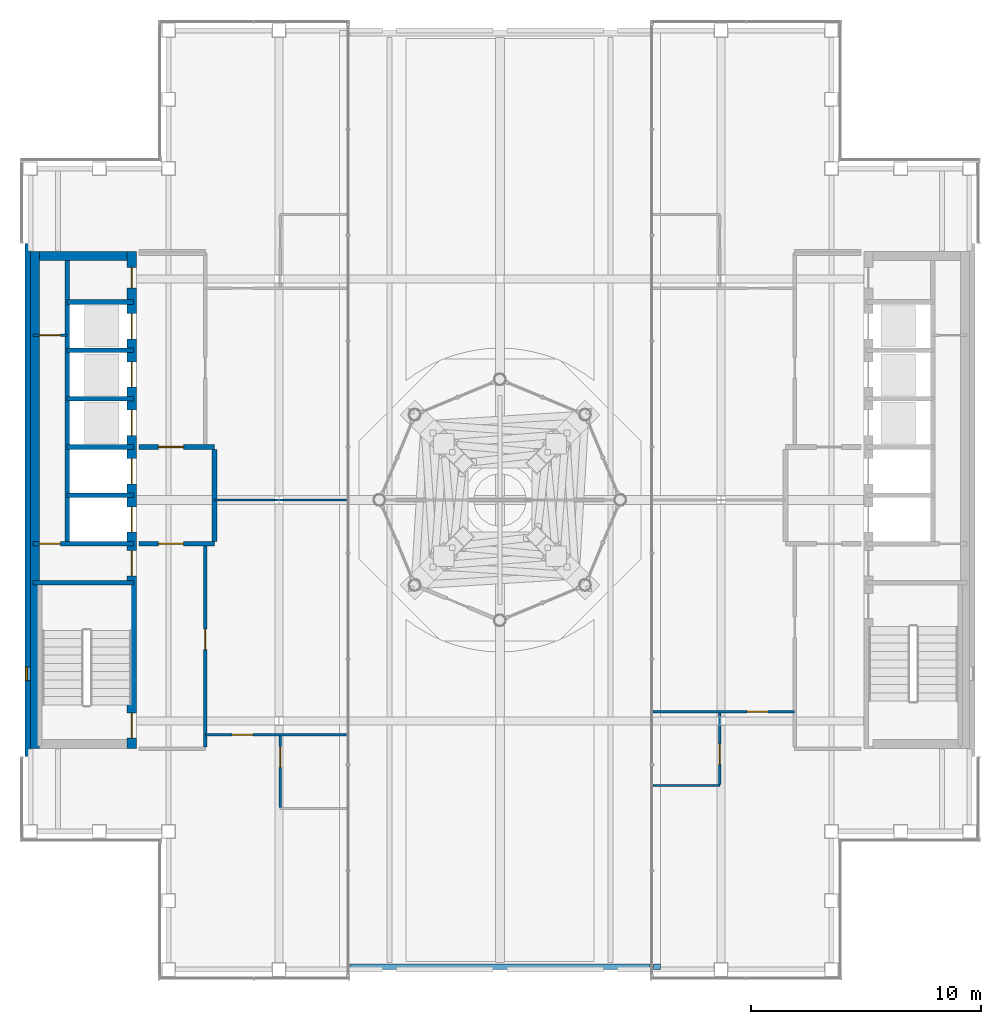
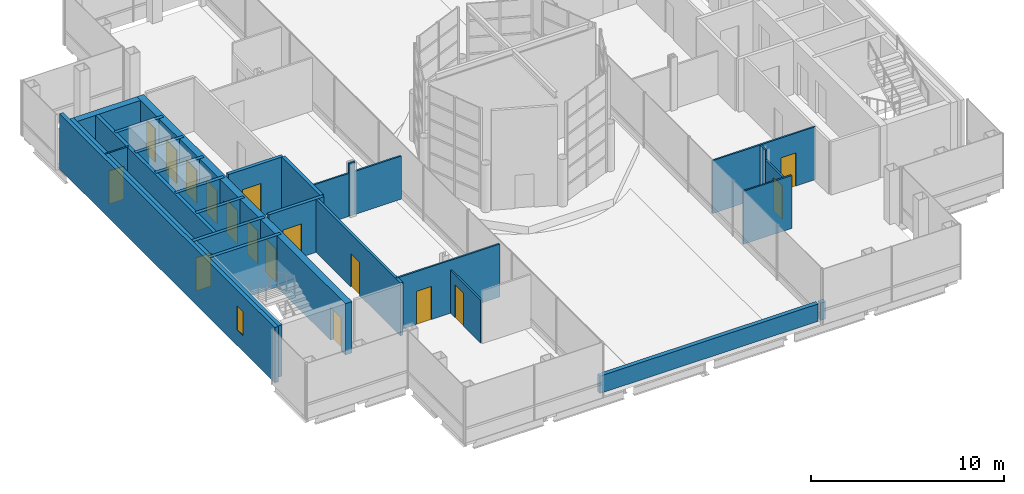
# One storey, part 25 of 32: 28 walls, 17 doors, 1 window, 18 openings.
"""IFC4 building model written with IfcOpenShell, lengths in metres."""

from ifc_helpers import new_model, si_unit, direction, frame, frame_2d, origin, place, context, subcontext, project, spatial, rectangle, extrude, material, layer, layer_set, type_object, element, fill, save


model = new_model("IFC4")

# Units and contexts
model_context = context("Model", 3, precision=1e-05, world=origin(), true_north=direction((0.0, 1.0)))
body_context = subcontext(model_context, "Body", "Model", "MODEL_VIEW")
ifc_project = project(units=[si_unit("LENGTHUNIT", "METRE"), si_unit("AREAUNIT", "SQUARE_METRE"), si_unit("VOLUMEUNIT", "CUBIC_METRE"), si_unit("PLANEANGLEUNIT", "RADIAN"), si_unit("MASSUNIT", "GRAM", prefix="KILO")], contexts=[model_context])

# Site, building, storey
site_placement = place(None, origin())
site = spatial("IfcSite", under=ifc_project, at=site_placement, CompositionType="ELEMENT")
building_placement = place(site_placement, origin())
building = spatial("IfcBuilding", under=site, at=building_placement, Name="Cobrizo Arcos Hotel Tower", CompositionType="ELEMENT")
storey_placement = place(building_placement, frame((0.0, 0.0, 265.5)))
storey = spatial("IfcBuildingStorey", under=building, at=storey_placement, Name="L70", CompositionType="ELEMENT", Elevation=265.5)

# Wall, opening, door
ifc_material_1 = material(Name="Gypsum board partition")
ifc_layer_1 = layer(ifc_material_1, 0.14990234375)
ifc_layer_set_1 = layer_set([ifc_layer_1], Name="Corridor wall EI 60 150")
wall_type_1 = type_object("IfcWallType", Name="Corridor wall EI 60 150", PredefinedType="PARTITIONING", material=ifc_layer_set_1)
wall_1_placement = place(storey_placement, frame((-12.800048828125, -10.72509765625, 0.0), z_axis=(0.0, 0.0, 1.0), x_axis=(0.0, 1.0, 0.0)))
wall_1 = element("IfcWall", 1, at=wall_1_placement, inside=storey, type_object=wall_type_1, Name="Partition 043", PredefinedType="PARTITIONING", context=body_context, shape_type="SweptSolid", body=[
    extrude(rectangle(XDim=8.72509765625, YDim=0.14990234375, at=frame_2d((4.362548828125, 0.0))), origin(), (0.0, 0.0, 1.0), 3.35009765625),
])
opening_1_placement = place(wall_1_placement, frame((4.22509765625, 0.0, 0.0)))
opening_1 = element("IfcOpeningElement", 2, at=opening_1_placement, cuts=wall_1, Name="Opening RD-13", PredefinedType="OPENING", context=body_context, shape_type="SweptSolid", body=[
    extrude(rectangle(XDim=0.89990234375, YDim=2.10009765625, at=frame_2d((0.449951171875, 1.050048828125))), frame((0.0, 0.0869140625, 0.0), z_axis=(0.0, -1.0, 0.0), x_axis=(1.0, 0.0, 0.0)), (0.0, 0.0, 1.0), 0.173828125),
])
ifc_material_2 = material(Name="Timber door leaf", Category="wood")
door_type_1 = type_object("IfcDoorType", Name="Room door FD30 900x2100", OperationType="SINGLE_SWING_LEFT", PredefinedType="DOOR", material=ifc_material_2)
door_1_placement = place(opening_1_placement, origin())
door_1 = element("IfcDoor", 3, at=door_1_placement, inside=storey, type_object=door_type_1, Name="Door RD-13", OperationType="SINGLE_SWING_LEFT", OverallHeight=2.10009765625, OverallWidth=0.89990234375, PredefinedType="DOOR", context=body_context, shape_type="SweptSolid", body=[
    extrude(rectangle(XDim=0.89990234375, YDim=2.10009765625, at=frame_2d((0.449951171875, 1.050048828125))), frame((0.0, 0.02490234375, 0.0), z_axis=(0.0, -1.0, 0.0), x_axis=(1.0, 0.0, 0.0)), (0.0, 0.0, 1.0), 0.050048828125),
])
fill(opening_1, door_1)

# Wall, opening, window
ifc_material_3 = material(Name="Aluminium composite panel pale metal", Category="aluminium")
ifc_layer_2 = layer(ifc_material_3, 0.22509765625)
ifc_layer_set_2 = layer_set([ifc_layer_2], Name="EW-1 insulated panel wall 225")
wall_type_2 = type_object("IfcWallType", Name="EW-1 insulated panel wall 225", PredefinedType="SOLIDWALL", material=ifc_layer_set_2)
wall_2_placement = place(storey_placement, frame((-20.512451171875, 11.14990234375, 0.0), z_axis=(0.0, 0.0, 1.0), x_axis=(0.0, -1.0, 0.0)))
wall_2 = element("IfcWall", 4, at=wall_2_placement, inside=storey, type_object=wall_type_2, Name="Core face wall L70 W", PredefinedType="SOLIDWALL", context=body_context, shape_type="SweptSolid", body=[
    extrude(rectangle(XDim=22.2998046875, YDim=0.22509765625, at=frame_2d((11.14990234375, 0.0))), origin(), (0.0, 0.0, 1.0), 3.5),
])
opening_2_placement = place(wall_2_placement, frame((18.39990234375, 0.0, 1.0)))
opening_2 = element("IfcOpeningElement", 5, at=opening_2_placement, cuts=wall_2, Name="Opening W-160", PredefinedType="OPENING", context=body_context, shape_type="SweptSolid", body=[
    extrude(rectangle(XDim=0.60009765625, YDim=1.5, at=frame_2d((0.300048828125, 0.75))), frame((0.0, 0.12451171875, 0.0), z_axis=(0.0, -1.0, 0.0), x_axis=(1.0, 0.0, 0.0)), (0.0, 0.0, 1.0), 0.2490234375),
])
ifc_material_4 = material(Name="Aluminium 6063-T6 and clear laminated glass", Category="aluminium")
window_type = type_object("IfcWindowType", Name="W-C1 core stair slot window 600x1500", PartitioningType="SINGLE_PANEL", PredefinedType="WINDOW", material=ifc_material_4)
window_placement = place(opening_2_placement, origin())
window = element("IfcWindow", 6, at=window_placement, inside=storey, type_object=window_type, Name="Core face wall L70 W window W-160", OverallHeight=1.5, OverallWidth=0.60009765625, PartitioningType="SINGLE_PANEL", PredefinedType="WINDOW", context=body_context, shape_type="SweptSolid", body=[
    extrude(rectangle(XDim=0.60009765625, YDim=1.5, at=frame_2d((0.300048828125, 0.75))), frame((0.0, -0.0224609375, 0.0), z_axis=(0.0, -1.0, 0.0), x_axis=(1.0, 0.0, 0.0)), (0.0, 0.0, 1.0), 0.06005859375),
])
fill(opening_2, window)

# Walls
ifc_layer_3 = layer(ifc_material_3, 0.25)
ifc_layer_set_3 = layer_set([ifc_layer_3], Name="PW-1 parapet wall")
wall_type_3 = type_object("IfcWallType", Name="PW-1 parapet wall", PredefinedType="PARAPET", material=ifc_layer_set_3)
wall_3_placement = place(storey_placement, frame((-6.52392578125, -20.27490234375, 0.0), z_axis=(0.0, 0.0, 1.0), x_axis=(1.0, 0.0, 0.0)))
element("IfcWall", 7, at=wall_3_placement, inside=storey, type_object=wall_type_3, Name="Parapet L69 S", PredefinedType="PARAPET", context=body_context, shape_type="SweptSolid", body=[
    extrude(rectangle(XDim=13.0478515625, YDim=0.25, at=frame_2d((6.52392578125, 0.0))), origin(), (0.0, 0.0, 1.0), 1.10009765625),
])
wall_4_placement = place(storey_placement, frame((6.674072265625, -20.27490234375, 0.0), z_axis=(0.0, 0.0, 1.0), x_axis=(1.0, 0.0, 0.0)))
element("IfcWall", 8, at=wall_4_placement, inside=storey, type_object=wall_type_3, Name="Parapet L69 S", PredefinedType="PARAPET", context=body_context, shape_type="SweptSolid", body=[
    extrude(rectangle(XDim=0.300048828125, YDim=0.25, at=frame_2d((0.14990234375, 0.0))), origin(), (0.0, 0.0, 1.0), 1.10009765625),
])
ifc_layer_4 = layer(ifc_material_1, 0.10009765625)
ifc_layer_set_4 = layer_set([ifc_layer_4], Name="Partition EI 30 100")
wall_type_4 = type_object("IfcWallType", Name="Partition EI 30 100", PredefinedType="PARTITIONING", material=ifc_layer_set_4)
wall_5_placement = place(storey_placement, frame((6.64404296875, -12.39990234375, 0.0), z_axis=(0.0, 0.0, 1.0), x_axis=(1.0, 0.0, 0.0)))
element("IfcWall", 9, at=wall_5_placement, inside=storey, type_object=wall_type_4, Name="Partition 002", PredefinedType="PARTITIONING", context=body_context, shape_type="SweptSolid", body=[
    extrude(rectangle(XDim=2.906005859375, YDim=0.10009765625, at=frame_2d((1.453125, 0.0))), origin(), (0.0, 0.0, 1.0), 3.35009765625),
])

# Wall, opening, door
wall_6_placement = place(storey_placement, frame((-12.800048828125, -10.199951171875, 0.0), z_axis=(0.0, 0.0, 1.0), x_axis=(1.0, 0.0, 0.0)))
wall_6 = element("IfcWall", 10, at=wall_6_placement, inside=storey, type_object=wall_type_4, Name="Partition 005", PredefinedType="PARTITIONING", context=body_context, shape_type="SweptSolid", body=[
    extrude(rectangle(XDim=6.156005859375, YDim=0.10009765625, at=frame_2d((3.078125, 0.0))), origin(), (0.0, 0.0, 1.0), 3.35009765625),
])
opening_3_placement = place(wall_6_placement, frame((1.1630859375, 0.0, 0.0)))
opening_3 = element("IfcOpeningElement", 11, at=opening_3_placement, cuts=wall_6, Name="Opening RD-14", PredefinedType="OPENING", context=body_context, shape_type="SweptSolid", body=[
    extrude(rectangle(XDim=0.89990234375, YDim=2.10009765625, at=frame_2d((0.449951171875, 1.050048828125))), frame((0.0, 0.06201171875, 0.0), z_axis=(0.0, -1.0, 0.0), x_axis=(1.0, 0.0, 0.0)), (0.0, 0.0, 1.0), 0.1240234375),
])
door_2_placement = place(opening_3_placement, origin())
door_2 = element("IfcDoor", 12, at=door_2_placement, inside=storey, type_object=door_type_1, Name="Door RD-14", OperationType="SINGLE_SWING_LEFT", OverallHeight=2.10009765625, OverallWidth=0.89990234375, PredefinedType="DOOR", context=body_context, shape_type="SweptSolid", body=[
    extrude(rectangle(XDim=0.89990234375, YDim=2.10009765625, at=frame_2d((0.449951171875, 1.050048828125))), frame((0.0, 0.02490234375, 0.0), z_axis=(0.0, -1.0, 0.0), x_axis=(1.0, 0.0, 0.0)), (0.0, 0.0, 1.0), 0.050048828125),
])
fill(opening_3, door_2)

wall_7_placement = place(storey_placement, frame((6.64404296875, -9.199951171875, 0.0), z_axis=(0.0, 0.0, 1.0), x_axis=(1.0, 0.0, 0.0)))
wall_7 = element("IfcWall", 13, at=wall_7_placement, inside=storey, type_object=wall_type_4, Name="Partition 006", PredefinedType="PARTITIONING", context=body_context, shape_type="SweptSolid", body=[
    extrude(rectangle(XDim=6.156005859375, YDim=0.10009765625, at=frame_2d((3.078125, 0.0))), origin(), (0.0, 0.0, 1.0), 3.35009765625),
])
opening_4_placement = place(wall_7_placement, frame((4.093017578125, 0.0, 0.0)))
opening_4 = element("IfcOpeningElement", 14, at=opening_4_placement, cuts=wall_7, Name="Opening RD-10", PredefinedType="OPENING", context=body_context, shape_type="SweptSolid", body=[
    extrude(rectangle(XDim=0.89990234375, YDim=2.10009765625, at=frame_2d((0.449951171875, 1.050048828125))), frame((0.0, 0.06201171875, 0.0), z_axis=(0.0, -1.0, 0.0), x_axis=(1.0, 0.0, 0.0)), (0.0, 0.0, 1.0), 0.1240234375),
])
door_3_placement = place(opening_4_placement, origin())
door_3 = element("IfcDoor", 15, at=door_3_placement, inside=storey, type_object=door_type_1, Name="Door RD-10", OperationType="SINGLE_SWING_LEFT", OverallHeight=2.10009765625, OverallWidth=0.89990234375, PredefinedType="DOOR", context=body_context, shape_type="SweptSolid", body=[
    extrude(rectangle(XDim=0.89990234375, YDim=2.10009765625, at=frame_2d((0.449951171875, 1.050048828125))), frame((0.0, 0.02490234375, 0.0), z_axis=(0.0, -1.0, 0.0), x_axis=(1.0, 0.0, 0.0)), (0.0, 0.0, 1.0), 0.050048828125),
])
fill(opening_4, door_3)

# Walls
wall_8_placement = place(storey_placement, frame((-12.39990234375, 0.0, 0.0), z_axis=(0.0, 0.0, 1.0), x_axis=(1.0, 0.0, 0.0)))
element("IfcWall", 16, at=wall_8_placement, inside=storey, type_object=wall_type_4, Name="Partition 013", PredefinedType="PARTITIONING", context=body_context, shape_type="SweptSolid", body=[
    extrude(rectangle(XDim=2.615966796875, YDim=0.10009765625, at=frame_2d((1.30810546875, 0.0))), origin(), (0.0, 0.0, 1.0), 2.72802734375),
])
wall_9_placement = place(storey_placement, frame((-9.783935546875, 0.0, 0.0), z_axis=(0.0, 0.0, 1.0), x_axis=(1.0, 0.0, 0.0)))
element("IfcWall", 17, at=wall_9_placement, inside=storey, type_object=wall_type_4, Name="Partition 014", PredefinedType="PARTITIONING", context=body_context, shape_type="SweptSolid", body=[
    extrude(rectangle(XDim=0.367919921875, YDim=0.10009765625, at=frame_2d((0.18408203125, 0.0))), origin(), (0.0, 0.0, 1.0), 3.35009765625),
])
wall_10_placement = place(storey_placement, frame((-9.415771484375, 0.0, 0.0), z_axis=(0.0, 0.0, 1.0), x_axis=(1.0, 0.0, 0.0)))
element("IfcWall", 18, at=wall_10_placement, inside=storey, type_object=wall_type_4, Name="Partition 015", PredefinedType="PARTITIONING", context=body_context, shape_type="SweptSolid", body=[
    extrude(rectangle(XDim=2.771728515625, YDim=0.10009765625, at=frame_2d((1.3857421875, 0.0))), origin(), (0.0, 0.0, 1.0), 2.72802734375),
])

# Wall, opening, door
wall_11_placement = place(storey_placement, frame((-20.280029296875, 7.14990234375, 0.0), z_axis=(0.0, 0.0, 1.0), x_axis=(1.0, 0.0, 0.0)))
wall_11 = element("IfcWall", 19, at=wall_11_placement, inside=storey, type_object=wall_type_4, Name="Partition 029", PredefinedType="PARTITIONING", context=body_context, shape_type="SweptSolid", body=[
    extrude(rectangle(XDim=1.47998046875, YDim=0.10009765625, at=frame_2d((0.739990234375, 0.0))), origin(), (0.0, 0.0, 1.0), 3.25),
])
opening_5_placement = place(wall_11_placement, frame((0.280029296875, 0.0, 0.0)))
opening_5 = element("IfcOpeningElement", 20, at=opening_5_placement, cuts=wall_11, Name="Opening RD-03", PredefinedType="OPENING", context=body_context, shape_type="SweptSolid", body=[
    extrude(rectangle(XDim=0.89990234375, YDim=2.10009765625, at=frame_2d((0.449951171875, 1.050048828125))), frame((0.0, 0.06201171875, 0.0), z_axis=(0.0, -1.0, 0.0), x_axis=(1.0, 0.0, 0.0)), (0.0, 0.0, 1.0), 0.1240234375),
])
door_4_placement = place(opening_5_placement, origin())
door_4 = element("IfcDoor", 21, at=door_4_placement, inside=storey, type_object=door_type_1, Name="Door RD-03", OperationType="SINGLE_SWING_LEFT", OverallHeight=2.10009765625, OverallWidth=0.89990234375, PredefinedType="DOOR", context=body_context, shape_type="SweptSolid", body=[
    extrude(rectangle(XDim=0.89990234375, YDim=2.10009765625, at=frame_2d((0.449951171875, 1.050048828125))), frame((0.0, 0.02490234375, 0.0), z_axis=(0.0, -1.0, 0.0), x_axis=(1.0, 0.0, 0.0)), (0.0, 0.0, 1.0), 0.050048828125),
])
fill(opening_5, door_4)

wall_12_placement = place(storey_placement, frame((-9.550048828125, -13.35009765625, 0.0), z_axis=(0.0, 0.0, 1.0), x_axis=(0.0, 1.0, 0.0)))
wall_12 = element("IfcWall", 22, at=wall_12_placement, inside=storey, type_object=wall_type_4, Name="Partition 046", PredefinedType="PARTITIONING", context=body_context, shape_type="SweptSolid", body=[
    extrude(rectangle(XDim=3.10009765625, YDim=0.10009765625, at=frame_2d((1.550048828125, 0.0))), origin(), (0.0, 0.0, 1.0), 2.72802734375),
])
opening_6_placement = place(wall_12_placement, frame((1.739990234375, 0.0, 0.0)))
opening_6 = element("IfcOpeningElement", 23, at=opening_6_placement, cuts=wall_12, Name="Opening ED-04", PredefinedType="OPENING", context=body_context, shape_type="SweptSolid", body=[
    extrude(rectangle(XDim=0.89990234375, YDim=2.10009765625, at=frame_2d((0.449951171875, 1.050048828125))), frame((0.0, 0.06201171875, 0.0), z_axis=(0.0, -1.0, 0.0), x_axis=(1.0, 0.0, 0.0)), (0.0, 0.0, 1.0), 0.1240234375),
])
door_type_2 = type_object("IfcDoorType", Name="En-suite door 900x2100", OperationType="SINGLE_SWING_LEFT", PredefinedType="DOOR", material=ifc_material_2)
door_5_placement = place(opening_6_placement, origin())
door_5 = element("IfcDoor", 24, at=door_5_placement, inside=storey, type_object=door_type_2, Name="Door ED-04", OperationType="SINGLE_SWING_RIGHT", OverallHeight=2.10009765625, OverallWidth=0.89990234375, PredefinedType="DOOR", context=body_context, shape_type="SweptSolid", body=[
    extrude(rectangle(XDim=0.89990234375, YDim=2.10009765625, at=frame_2d((0.449951171875, 1.050048828125))), frame((0.0, 0.02490234375, 0.0), z_axis=(0.0, -1.0, 0.0), x_axis=(1.0, 0.0, 0.0)), (0.0, 0.0, 1.0), 0.050048828125),
])
fill(opening_6, door_5)

wall_13_placement = place(storey_placement, frame((9.550048828125, -12.35009765625, 0.0), z_axis=(0.0, 0.0, 1.0), x_axis=(0.0, 1.0, 0.0)))
wall_13 = element("IfcWall", 25, at=wall_13_placement, inside=storey, type_object=wall_type_4, Name="Partition 049", PredefinedType="PARTITIONING", context=body_context, shape_type="SweptSolid", body=[
    extrude(rectangle(XDim=2.566162109375, YDim=0.10009765625, at=frame_2d((1.283203125, 0.0))), origin(), (0.0, 0.0, 1.0), 2.72802734375),
])
opening_7_placement = place(wall_13_placement, frame((0.860107421875, 0.0, 0.0)))
opening_7 = element("IfcOpeningElement", 26, at=opening_7_placement, cuts=wall_13, Name="Opening ED-02", PredefinedType="OPENING", context=body_context, shape_type="SweptSolid", body=[
    extrude(rectangle(XDim=0.89990234375, YDim=2.10009765625, at=frame_2d((0.449951171875, 1.050048828125))), frame((0.0, 0.06201171875, 0.0), z_axis=(0.0, -1.0, 0.0), x_axis=(1.0, 0.0, 0.0)), (0.0, 0.0, 1.0), 0.1240234375),
])
door_6_placement = place(opening_7_placement, origin())
door_6 = element("IfcDoor", 27, at=door_6_placement, inside=storey, type_object=door_type_2, Name="Door ED-02", OperationType="SINGLE_SWING_RIGHT", OverallHeight=2.10009765625, OverallWidth=0.89990234375, PredefinedType="DOOR", context=body_context, shape_type="SweptSolid", body=[
    extrude(rectangle(XDim=0.89990234375, YDim=2.10009765625, at=frame_2d((0.449951171875, 1.050048828125))), frame((0.0, 0.02490234375, 0.0), z_axis=(0.0, -1.0, 0.0), x_axis=(1.0, 0.0, 0.0)), (0.0, 0.0, 1.0), 0.050048828125),
])
fill(opening_7, door_6)

# Wall
wall_14_placement = place(storey_placement, frame((9.550048828125, -9.783935546875, 0.0), z_axis=(0.0, 0.0, 1.0), x_axis=(0.0, 1.0, 0.0)))
element("IfcWall", 28, at=wall_14_placement, inside=storey, type_object=wall_type_4, Name="Partition 050", PredefinedType="PARTITIONING", context=body_context, shape_type="SweptSolid", body=[
    extrude(rectangle(XDim=0.533935546875, YDim=0.10009765625, at=frame_2d((0.26708984375, 0.0))), origin(), (0.0, 0.0, 1.0), 3.35009765625),
])

# Wall, openings, doors
ifc_material_5 = material(Name="Concrete f'c 40 MPa", Category="concrete")
ifc_layer_5 = layer(ifc_material_5, 0.39990234375)
ifc_layer_set_5 = layer_set([ifc_layer_5], Name="RC core wall 400 f'c 40")
wall_type_5 = type_object("IfcWallType", Name="RC core wall 400 f'c 40", PredefinedType="SHEAR", material=ifc_layer_set_5)
wall_15_placement = place(storey_placement, frame((-16.0, -10.800048828125, 0.0), z_axis=(0.0, 0.0, 1.0), x_axis=(0.0, 1.0, 0.0)))
wall_15 = element("IfcWall", 29, at=wall_15_placement, inside=storey, type_object=wall_type_5, Name="Core wall CW4, west core, inner face, L70", PredefinedType="SHEAR", context=body_context, shape_type="SweptSolid", body=[
    extrude(rectangle(XDim=21.60009765625, YDim=0.39990234375, at=frame_2d((10.800048828125, 0.0))), origin(), (0.0, 0.0, 1.0), 3.25),
])
opening_8_placement = place(wall_15_placement, frame((9.39990234375, 0.0, 0.0)))
opening_8 = element("IfcOpeningElement", 30, at=opening_8_placement, cuts=wall_15, Name="Opening LD-01", PredefinedType="OPENING", context=body_context, shape_type="SweptSolid", body=[
    extrude(rectangle(XDim=1.10009765625, YDim=2.10009765625, at=frame_2d((0.550048828125, 1.050048828125))), frame((0.0, 0.2119140625, 0.0), z_axis=(0.0, -1.0, 0.0), x_axis=(1.0, 0.0, 0.0)), (0.0, 0.0, 1.0), 0.423828125),
])
opening_9_placement = place(wall_15_placement, frame((11.5, 0.0, 0.0)))
opening_9 = element("IfcOpeningElement", 31, at=opening_9_placement, cuts=wall_15, Name="Opening LD-02", PredefinedType="OPENING", context=body_context, shape_type="SweptSolid", body=[
    extrude(rectangle(XDim=1.10009765625, YDim=2.10009765625, at=frame_2d((0.550048828125, 1.050048828125))), frame((0.0, 0.2119140625, 0.0), z_axis=(0.0, -1.0, 0.0), x_axis=(1.0, 0.0, 0.0)), (0.0, 0.0, 1.0), 0.423828125),
])
opening_10_placement = place(wall_15_placement, frame((13.60009765625, 0.0, 0.0)))
opening_10 = element("IfcOpeningElement", 32, at=opening_10_placement, cuts=wall_15, Name="Opening LD-03", PredefinedType="OPENING", context=body_context, shape_type="SweptSolid", body=[
    extrude(rectangle(XDim=1.10009765625, YDim=2.10009765625, at=frame_2d((0.550048828125, 1.050048828125))), frame((0.0, 0.2119140625, 0.0), z_axis=(0.0, -1.0, 0.0), x_axis=(1.0, 0.0, 0.0)), (0.0, 0.0, 1.0), 0.423828125),
])
opening_11_placement = place(wall_15_placement, frame((15.699951171875, 0.0, 0.0)))
opening_11 = element("IfcOpeningElement", 33, at=opening_11_placement, cuts=wall_15, Name="Opening LD-04", PredefinedType="OPENING", context=body_context, shape_type="SweptSolid", body=[
    extrude(rectangle(XDim=1.10009765625, YDim=2.10009765625, at=frame_2d((0.550048828125, 1.050048828125))), frame((0.0, 0.2119140625, 0.0), z_axis=(0.0, -1.0, 0.0), x_axis=(1.0, 0.0, 0.0)), (0.0, 0.0, 1.0), 0.423828125),
])
opening_12_placement = place(wall_15_placement, frame((17.800048828125, 0.0, 0.0)))
opening_12 = element("IfcOpeningElement", 34, at=opening_12_placement, cuts=wall_15, Name="Opening LD-05", PredefinedType="OPENING", context=body_context, shape_type="SweptSolid", body=[
    extrude(rectangle(XDim=1.10009765625, YDim=2.10009765625, at=frame_2d((0.550048828125, 1.050048828125))), frame((0.0, 0.2119140625, 0.0), z_axis=(0.0, -1.0, 0.0), x_axis=(1.0, 0.0, 0.0)), (0.0, 0.0, 1.0), 0.423828125),
])
opening_13_placement = place(wall_15_placement, frame((0.4580078125, 0.0, 0.0)))
opening_13 = element("IfcOpeningElement", 35, at=opening_13_placement, cuts=wall_15, Name="Opening SD-01", PredefinedType="OPENING", context=body_context, shape_type="SweptSolid", body=[
    extrude(rectangle(XDim=1.10009765625, YDim=2.10009765625, at=frame_2d((0.550048828125, 1.050048828125))), frame((0.0, 0.2119140625, 0.0), z_axis=(0.0, -1.0, 0.0), x_axis=(1.0, 0.0, 0.0)), (0.0, 0.0, 1.0), 0.423828125),
])
opening_14_placement = place(wall_15_placement, frame((7.5, 0.0, 0.0)))
opening_14 = element("IfcOpeningElement", 36, at=opening_14_placement, cuts=wall_15, Name="Opening FD-01", PredefinedType="OPENING", context=body_context, shape_type="SweptSolid", body=[
    extrude(rectangle(XDim=1.10009765625, YDim=2.10009765625, at=frame_2d((0.550048828125, 1.050048828125))), frame((0.0, 0.2119140625, 0.0), z_axis=(0.0, -1.0, 0.0), x_axis=(1.0, 0.0, 0.0)), (0.0, 0.0, 1.0), 0.423828125),
])
opening_15_placement = place(wall_15_placement, frame((20.0, 0.0, 0.0)))
opening_15 = element("IfcOpeningElement", 37, at=opening_15_placement, cuts=wall_15, Name="Opening RD-01", PredefinedType="OPENING", context=body_context, shape_type="SweptSolid", body=[
    extrude(rectangle(XDim=0.89990234375, YDim=2.10009765625, at=frame_2d((0.449951171875, 1.050048828125))), frame((0.0, 0.2119140625, 0.0), z_axis=(0.0, -1.0, 0.0), x_axis=(1.0, 0.0, 0.0)), (0.0, 0.0, 1.0), 0.423828125),
])
ifc_material_6 = material(Name="Steel door leaf", Category="steel")
door_type_3 = type_object("IfcDoorType", Name="Fire door FD60 1100x2100", OperationType="SINGLE_SWING_LEFT", PredefinedType="DOOR", material=ifc_material_6)
door_7_placement = place(opening_14_placement, origin())
door_7 = element("IfcDoor", 38, at=door_7_placement, inside=storey, type_object=door_type_3, Name="Door FD-01", OperationType="SINGLE_SWING_LEFT", OverallHeight=2.10009765625, OverallWidth=1.10009765625, PredefinedType="DOOR", context=body_context, shape_type="SweptSolid", body=[
    extrude(rectangle(XDim=1.10009765625, YDim=2.10009765625, at=frame_2d((0.550048828125, 1.050048828125))), frame((0.0, 0.02490234375, 0.0), z_axis=(0.0, -1.0, 0.0), x_axis=(1.0, 0.0, 0.0)), (0.0, 0.0, 1.0), 0.050048828125),
])
fill(opening_14, door_7)
door_type_4 = type_object("IfcDoorType", Name="Lift landing door 1100x2100", OperationType="SLIDING_TO_LEFT", PredefinedType="DOOR", material=ifc_material_6)
door_8_placement = place(opening_8_placement, origin())
door_8 = element("IfcDoor", 39, at=door_8_placement, inside=storey, type_object=door_type_4, Name="Lift landing door LD-01", OperationType="SLIDING_TO_LEFT", OverallHeight=2.10009765625, OverallWidth=1.10009765625, PredefinedType="DOOR", context=body_context, shape_type="SweptSolid", body=[
    extrude(rectangle(XDim=1.10009765625, YDim=2.10009765625, at=frame_2d((0.550048828125, 1.050048828125))), frame((0.0, 0.02490234375, 0.0), z_axis=(0.0, -1.0, 0.0), x_axis=(1.0, 0.0, 0.0)), (0.0, 0.0, 1.0), 0.050048828125),
])
fill(opening_8, door_8)
door_9_placement = place(opening_9_placement, origin())
door_9 = element("IfcDoor", 40, at=door_9_placement, inside=storey, type_object=door_type_4, Name="Lift landing door LD-02", OperationType="SLIDING_TO_LEFT", OverallHeight=2.10009765625, OverallWidth=1.10009765625, PredefinedType="DOOR", context=body_context, shape_type="SweptSolid", body=[
    extrude(rectangle(XDim=1.10009765625, YDim=2.10009765625, at=frame_2d((0.550048828125, 1.050048828125))), frame((0.0, 0.02490234375, 0.0), z_axis=(0.0, -1.0, 0.0), x_axis=(1.0, 0.0, 0.0)), (0.0, 0.0, 1.0), 0.050048828125),
])
fill(opening_9, door_9)
door_10_placement = place(opening_10_placement, origin())
door_10 = element("IfcDoor", 41, at=door_10_placement, inside=storey, type_object=door_type_4, Name="Lift landing door LD-03", OperationType="SLIDING_TO_LEFT", OverallHeight=2.10009765625, OverallWidth=1.10009765625, PredefinedType="DOOR", context=body_context, shape_type="SweptSolid", body=[
    extrude(rectangle(XDim=1.10009765625, YDim=2.10009765625, at=frame_2d((0.550048828125, 1.050048828125))), frame((0.0, 0.02490234375, 0.0), z_axis=(0.0, -1.0, 0.0), x_axis=(1.0, 0.0, 0.0)), (0.0, 0.0, 1.0), 0.050048828125),
])
fill(opening_10, door_10)
door_11_placement = place(opening_11_placement, origin())
door_11 = element("IfcDoor", 42, at=door_11_placement, inside=storey, type_object=door_type_4, Name="Lift landing door LD-04", OperationType="SLIDING_TO_LEFT", OverallHeight=2.10009765625, OverallWidth=1.10009765625, PredefinedType="DOOR", context=body_context, shape_type="SweptSolid", body=[
    extrude(rectangle(XDim=1.10009765625, YDim=2.10009765625, at=frame_2d((0.550048828125, 1.050048828125))), frame((0.0, 0.02490234375, 0.0), z_axis=(0.0, -1.0, 0.0), x_axis=(1.0, 0.0, 0.0)), (0.0, 0.0, 1.0), 0.050048828125),
])
fill(opening_11, door_11)
door_12_placement = place(opening_12_placement, origin())
door_12 = element("IfcDoor", 43, at=door_12_placement, inside=storey, type_object=door_type_4, Name="Lift landing door LD-05", OperationType="SLIDING_TO_LEFT", OverallHeight=2.10009765625, OverallWidth=1.10009765625, PredefinedType="DOOR", context=body_context, shape_type="SweptSolid", body=[
    extrude(rectangle(XDim=1.10009765625, YDim=2.10009765625, at=frame_2d((0.550048828125, 1.050048828125))), frame((0.0, 0.02490234375, 0.0), z_axis=(0.0, -1.0, 0.0), x_axis=(1.0, 0.0, 0.0)), (0.0, 0.0, 1.0), 0.050048828125),
])
fill(opening_12, door_12)
door_13_placement = place(opening_15_placement, origin())
door_13 = element("IfcDoor", 44, at=door_13_placement, inside=storey, type_object=door_type_1, Name="Door RD-01", OperationType="SINGLE_SWING_LEFT", OverallHeight=2.10009765625, OverallWidth=0.89990234375, PredefinedType="DOOR", context=body_context, shape_type="SweptSolid", body=[
    extrude(rectangle(XDim=0.89990234375, YDim=2.10009765625, at=frame_2d((0.449951171875, 1.050048828125))), frame((0.0, 0.02490234375, 0.0), z_axis=(0.0, -1.0, 0.0), x_axis=(1.0, 0.0, 0.0)), (0.0, 0.0, 1.0), 0.050048828125),
])
fill(opening_15, door_13)
door_type_5 = type_object("IfcDoorType", Name="Stair door FD60S 1100x2100", OperationType="SINGLE_SWING_LEFT", PredefinedType="DOOR", material=ifc_material_6)
door_14_placement = place(opening_13_placement, origin())
door_14 = element("IfcDoor", 45, at=door_14_placement, inside=storey, type_object=door_type_5, Name="Door SD-01", OperationType="SINGLE_SWING_LEFT", OverallHeight=2.10009765625, OverallWidth=1.10009765625, PredefinedType="DOOR", context=body_context, shape_type="SweptSolid", body=[
    extrude(rectangle(XDim=1.10009765625, YDim=2.10009765625, at=frame_2d((0.550048828125, 1.050048828125))), frame((0.0, 0.02490234375, 0.0), z_axis=(0.0, -1.0, 0.0), x_axis=(1.0, 0.0, 0.0)), (0.0, 0.0, 1.0), 0.050048828125),
])
fill(opening_13, door_14)

# Walls
wall_16_placement = place(storey_placement, frame((-20.199951171875, -10.800048828125, 0.0), z_axis=(0.0, 0.0, 1.0), x_axis=(0.0, 1.0, 0.0)))
element("IfcWall", 46, at=wall_16_placement, inside=storey, type_object=wall_type_5, Name="Core wall CW4, west core, outer face, L70", PredefinedType="SHEAR", context=body_context, shape_type="SweptSolid", body=[
    extrude(rectangle(XDim=21.60009765625, YDim=0.39990234375, at=frame_2d((10.800048828125, 0.0))), origin(), (0.0, 0.0, 1.0), 3.25),
])
wall_17_placement = place(storey_placement, frame((-20.0, 10.60009765625, 0.0), z_axis=(0.0, 0.0, 1.0), x_axis=(1.0, 0.0, 0.0)))
element("IfcWall", 47, at=wall_17_placement, inside=storey, type_object=wall_type_5, Name="Core wall CW4, west core, north end, L70", PredefinedType="SHEAR", context=body_context, shape_type="SweptSolid", body=[
    extrude(rectangle(XDim=3.800048828125, YDim=0.39990234375, at=frame_2d((1.89990234375, 0.0))), origin(), (0.0, 0.0, 1.0), 3.25),
])

# Wall, opening, door
ifc_layer_6 = layer(ifc_material_1, 0.199951171875)
ifc_layer_set_6 = layer_set([ifc_layer_6], Name="Shaft wall EI 120 200")
wall_type_6 = type_object("IfcWallType", Name="Shaft wall EI 120 200", PredefinedType="PARTITIONING", material=ifc_layer_set_6)
wall_18_placement = place(storey_placement, frame((-20.280029296875, -1.89990234375, 0.0), z_axis=(0.0, 0.0, 1.0), x_axis=(1.0, 0.0, 0.0)))
wall_18 = element("IfcWall", 48, at=wall_18_placement, inside=storey, type_object=wall_type_6, Name="Partition 009", PredefinedType="PARTITIONING", context=body_context, shape_type="SweptSolid", body=[
    extrude(rectangle(XDim=4.360107421875, YDim=0.199951171875, at=frame_2d((2.18017578125, 0.0))), origin(), (0.0, 0.0, 1.0), 3.25),
])
opening_16_placement = place(wall_18_placement, frame((0.280029296875, 0.0, 0.0)))
opening_16 = element("IfcOpeningElement", 49, at=opening_16_placement, cuts=wall_18, Name="Opening RD-02", PredefinedType="OPENING", context=body_context, shape_type="SweptSolid", body=[
    extrude(rectangle(XDim=0.89990234375, YDim=2.10009765625, at=frame_2d((0.449951171875, 1.050048828125))), frame((0.0, 0.112060546875, 0.0), z_axis=(0.0, -1.0, 0.0), x_axis=(1.0, 0.0, 0.0)), (0.0, 0.0, 1.0), 0.223876953125),
])
door_15_placement = place(opening_16_placement, origin())
door_15 = element("IfcDoor", 50, at=door_15_placement, inside=storey, type_object=door_type_1, Name="Door RD-02", OperationType="SINGLE_SWING_RIGHT", OverallHeight=2.10009765625, OverallWidth=0.89990234375, PredefinedType="DOOR", context=body_context, shape_type="SweptSolid", body=[
    extrude(rectangle(XDim=0.89990234375, YDim=2.10009765625, at=frame_2d((0.449951171875, 1.050048828125))), frame((0.0, 0.02490234375, 0.0), z_axis=(0.0, -1.0, 0.0), x_axis=(1.0, 0.0, 0.0)), (0.0, 0.0, 1.0), 0.050048828125),
])
fill(opening_16, door_15)

wall_19_placement = place(storey_placement, frame((-15.679931640625, -1.89990234375, 0.0), z_axis=(0.0, 0.0, 1.0), x_axis=(1.0, 0.0, 0.0)))
wall_19 = element("IfcWall", 51, at=wall_19_placement, inside=storey, type_object=wall_type_6, Name="Partition 010", PredefinedType="PARTITIONING", context=body_context, shape_type="SweptSolid", body=[
    extrude(rectangle(XDim=3.280029296875, YDim=0.199951171875, at=frame_2d((1.64013671875, 0.0))), origin(), (0.0, 0.0, 1.0), 3.35009765625),
])
opening_17_placement = place(wall_19_placement, frame((0.840087890625, 0.0, 0.0)))
opening_17 = element("IfcOpeningElement", 52, at=opening_17_placement, cuts=wall_19, Name="Opening FD-03", PredefinedType="OPENING", context=body_context, shape_type="SweptSolid", body=[
    extrude(rectangle(XDim=1.10009765625, YDim=2.10009765625, at=frame_2d((0.550048828125, 1.050048828125))), frame((0.0, 0.112060546875, 0.0), z_axis=(0.0, -1.0, 0.0), x_axis=(1.0, 0.0, 0.0)), (0.0, 0.0, 1.0), 0.223876953125),
])
door_16_placement = place(opening_17_placement, origin())
door_16 = element("IfcDoor", 53, at=door_16_placement, inside=storey, type_object=door_type_3, Name="Door FD-03", OperationType="SINGLE_SWING_RIGHT", OverallHeight=2.10009765625, OverallWidth=1.10009765625, PredefinedType="DOOR", context=body_context, shape_type="SweptSolid", body=[
    extrude(rectangle(XDim=1.10009765625, YDim=2.10009765625, at=frame_2d((0.550048828125, 1.050048828125))), frame((0.0, 0.02490234375, 0.0), z_axis=(0.0, -1.0, 0.0), x_axis=(1.0, 0.0, 0.0)), (0.0, 0.0, 1.0), 0.050048828125),
])
fill(opening_17, door_16)

# Walls
for number, where, z_axis, x_axis, name in (
    (54, (-18.800048828125, 0.199951171875, 0.0), (0.0, 0.0, 1.0), (1.0, 0.0, 0.0), "Partition 019"),
    (55, (-18.800048828125, 2.300048828125, 0.0), (0.0, 0.0, 1.0), (1.0, 0.0, 0.0), "Partition 021"),
):
    element("IfcWall", number, at=place(storey_placement, frame(where, z_axis=z_axis, x_axis=x_axis)), inside=storey, type_object=wall_type_6, Name=name, PredefinedType="PARTITIONING", context=body_context, shape_type="SweptSolid", body=[
        extrude(rectangle(XDim=2.880126953125, YDim=0.199951171875, at=frame_2d((1.43994140625, 0.0))), origin(), (0.0, 0.0, 1.0), 3.25),
    ])

# Wall, opening, door
wall_20_placement = place(storey_placement, frame((-15.679931640625, 2.300048828125, 0.0), z_axis=(0.0, 0.0, 1.0), x_axis=(1.0, 0.0, 0.0)))
wall_20 = element("IfcWall", 56, at=wall_20_placement, inside=storey, type_object=wall_type_6, Name="Partition 022", PredefinedType="PARTITIONING", context=body_context, shape_type="SweptSolid", body=[
    extrude(rectangle(XDim=3.280029296875, YDim=0.199951171875, at=frame_2d((1.64013671875, 0.0))), origin(), (0.0, 0.0, 1.0), 3.35009765625),
])
opening_18_placement = place(wall_20_placement, frame((0.840087890625, 0.0, 0.0)))
opening_18 = element("IfcOpeningElement", 57, at=opening_18_placement, cuts=wall_20, Name="Opening FD-02", PredefinedType="OPENING", context=body_context, shape_type="SweptSolid", body=[
    extrude(rectangle(XDim=1.10009765625, YDim=2.10009765625, at=frame_2d((0.550048828125, 1.050048828125))), frame((0.0, 0.112060546875, 0.0), z_axis=(0.0, -1.0, 0.0), x_axis=(1.0, 0.0, 0.0)), (0.0, 0.0, 1.0), 0.223876953125),
])
door_17_placement = place(opening_18_placement, origin())
door_17 = element("IfcDoor", 58, at=door_17_placement, inside=storey, type_object=door_type_3, Name="Door FD-02", OperationType="SINGLE_SWING_LEFT", OverallHeight=2.10009765625, OverallWidth=1.10009765625, PredefinedType="DOOR", context=body_context, shape_type="SweptSolid", body=[
    extrude(rectangle(XDim=1.10009765625, YDim=2.10009765625, at=frame_2d((0.550048828125, 1.050048828125))), frame((0.0, 0.02490234375, 0.0), z_axis=(0.0, -1.0, 0.0), x_axis=(1.0, 0.0, 0.0)), (0.0, 0.0, 1.0), 0.050048828125),
])
fill(opening_18, door_17)

# Walls
for number, where, z_axis, x_axis, name in (
    (59, (-18.800048828125, 4.39990234375, 0.0), (0.0, 0.0, 1.0), (1.0, 0.0, 0.0), "Partition 025"),
    (60, (-18.800048828125, 6.5, 0.0), (0.0, 0.0, 1.0), (1.0, 0.0, 0.0), "Partition 027"),
    (61, (-18.800048828125, 8.60009765625, 0.0), (0.0, 0.0, 1.0), (1.0, 0.0, 0.0), "Partition 031"),
):
    element("IfcWall", number, at=place(storey_placement, frame(where, z_axis=z_axis, x_axis=x_axis)), inside=storey, type_object=wall_type_6, Name=name, PredefinedType="PARTITIONING", context=body_context, shape_type="SweptSolid", body=[
        extrude(rectangle(XDim=2.880126953125, YDim=0.199951171875, at=frame_2d((1.43994140625, 0.0))), origin(), (0.0, 0.0, 1.0), 3.25),
    ])
wall_21_placement = place(storey_placement, frame((-18.800048828125, -1.800048828125, 0.0), z_axis=(0.0, 0.0, 1.0), x_axis=(0.0, 1.0, 0.0)))
element("IfcWall", 62, at=wall_21_placement, inside=storey, type_object=wall_type_6, Name="Partition 042", PredefinedType="PARTITIONING", context=body_context, shape_type="SweptSolid", body=[
    extrude(rectangle(XDim=12.47998046875, YDim=0.199951171875, at=frame_2d((6.239990234375, 0.0))), origin(), (0.0, 0.0, 1.0), 3.25),
])
wall_22_placement = place(storey_placement, frame((-12.39990234375, -1.800048828125, 0.0), z_axis=(0.0, 0.0, 1.0), x_axis=(0.0, 1.0, 0.0)))
element("IfcWall", 63, at=wall_22_placement, inside=storey, type_object=wall_type_6, Name="Partition 045", PredefinedType="PARTITIONING", context=body_context, shape_type="SweptSolid", body=[
    extrude(rectangle(XDim=4.0, YDim=0.199951171875, at=frame_2d((2.0, 0.0))), origin(), (0.0, 0.0, 1.0), 3.35009765625),
])
ifc_layer_7 = layer(ifc_material_5, 0.199951171875)
ifc_layer_set_7 = layer_set([ifc_layer_7], Name="Stair shaft wall 200")
wall_type_7 = type_object("IfcWallType", Name="Stair shaft wall 200", PredefinedType="SHEAR", material=ifc_layer_set_7)
wall_23_placement = place(storey_placement, frame((-20.280029296875, -3.60009765625, 0.0), z_axis=(0.0, 0.0, 1.0), x_axis=(1.0, 0.0, 0.0)))
element("IfcWall", 64, at=wall_23_placement, inside=storey, type_object=wall_type_7, Name="Stair shaft wall W", PredefinedType="SHEAR", context=body_context, shape_type="SweptSolid", body=[
    extrude(rectangle(XDim=4.360107421875, YDim=0.199951171875, at=frame_2d((2.18017578125, 0.0))), origin(), (0.0, 0.0, 1.0), 3.25),
])

save(model, "model.ifc")
